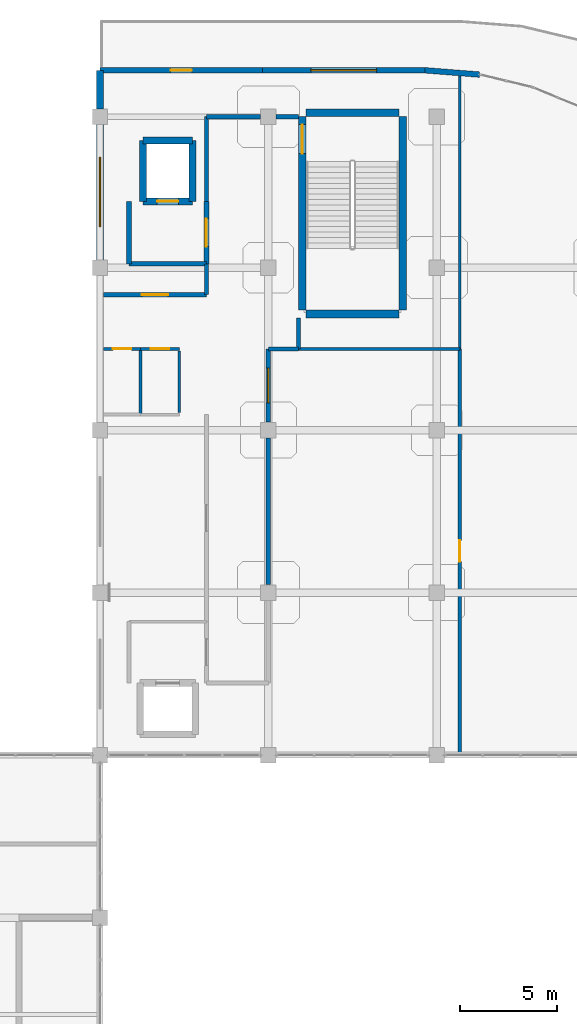
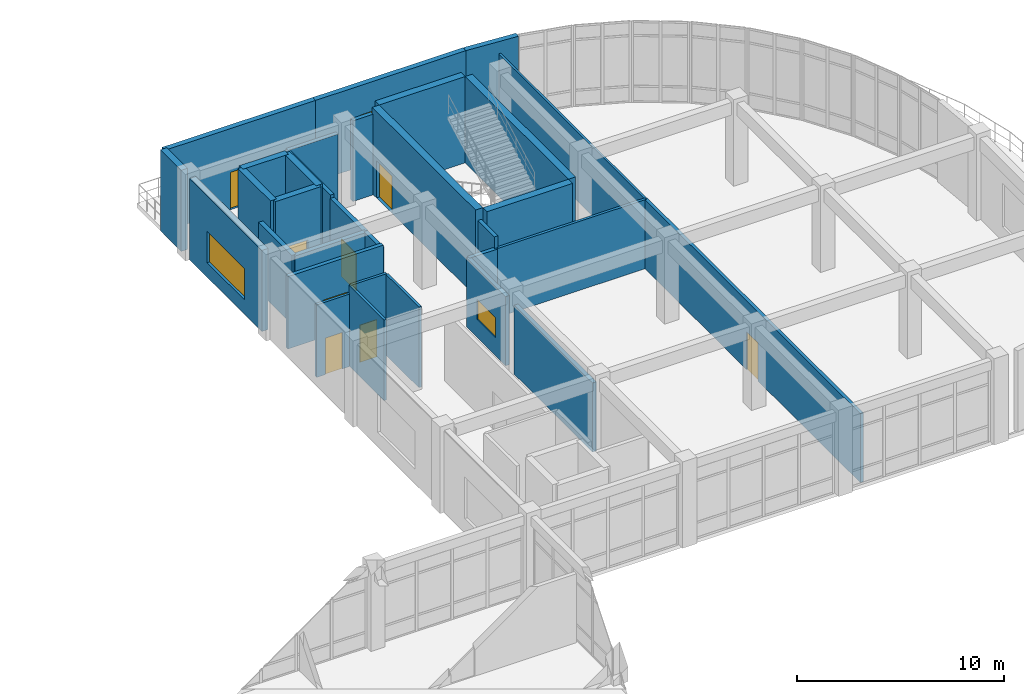
# One storey, part 83 of 96: 32 walls, 8 doors, 3 windows, 11 openings.
"""IFC4 building model written with IfcOpenShell, lengths in metres."""

from ifc_helpers import new_model, si_unit, derived_unit, direction, frame, frame_2d, origin, place, context, subcontext, project, spatial, rectangle, extrude, material, layer, layer_set, type_object, element, fill, save


model = new_model("IFC4")

# Units and contexts
model_context = context("Model", 3, precision=1e-05, world=origin(), true_north=direction((0.0, 1.0)))
body_context = subcontext(model_context, "Body", "Model", "MODEL_VIEW")
ifc_project = project(units=[si_unit("LENGTHUNIT", "METRE"), si_unit("AREAUNIT", "SQUARE_METRE"), si_unit("VOLUMEUNIT", "CUBIC_METRE"), si_unit("PLANEANGLEUNIT", "RADIAN"), si_unit("MASSUNIT", "GRAM", prefix="KILO"), derived_unit("THERMALTRANSMITTANCEUNIT", [(si_unit("MASSUNIT", "GRAM", prefix="KILO"), 1), (si_unit("TIMEUNIT", "SECOND"), -3), (si_unit("THERMODYNAMICTEMPERATUREUNIT", "KELVIN"), -1)])], contexts=[model_context])

# Site, building, storey
site_placement = place(None, origin())
site = spatial("IfcSite", under=ifc_project, at=site_placement, CompositionType="ELEMENT")
building_placement = place(site_placement, origin())
building = spatial("IfcBuilding", under=site, at=building_placement, Name="Qinzheling Arcade Emporium", CompositionType="ELEMENT")
storey_placement = place(building_placement, frame((0.0, 0.0, 21.60009765625)))
storey = spatial("IfcBuildingStorey", under=building, at=storey_placement, Name="L05", CompositionType="ELEMENT", Elevation=21.60009765625)

# Wall
ifc_material_1 = material(Name="Double-stud acoustic gypsum board partition")
ifc_layer_1 = layer(ifc_material_1, 0.215087890625, Name="Double-stud acoustic gypsum board partition")
ifc_layer_set_1 = layer_set([ifc_layer_1], Name="Double-stud acoustic gypsum board partition")
wall_type_1 = type_object("IfcWallType", Name="Acoustic Corridor Partition Wall 215", PredefinedType="PARTITIONING", material=ifc_layer_set_1)
wall_1_placement = place(storey_placement, frame((114.655029296875, 94.800048828125, 0.0), z_axis=(0.0, 0.0, 1.0), x_axis=(-1.0, 0.0, 0.0)))
element("IfcWall", 1, at=wall_1_placement, inside=storey, type_object=wall_type_1, Name="Interior Wall WL-L05-INT-0727", PredefinedType="PARTITIONING", context=body_context, shape_type="SweptSolid", body=[
    extrude(rectangle(XDim=1.554931640625, YDim=0.215087890625, at=frame_2d((0.77734375, 0.0))), origin(), (0.0, 0.0, 1.0), 4.074951171875),
])

# Wall, opening, window
wall_2_placement = place(storey_placement, frame((113.10009765625, 94.800048828125, 0.0), z_axis=(0.0, 0.0, 1.0), x_axis=(0.0, -1.0, 0.0)))
wall_2 = element("IfcWall", 2, at=wall_2_placement, inside=storey, type_object=wall_type_1, Name="Interior Wall WL-L05-INT-0728", PredefinedType="PARTITIONING", context=body_context, shape_type="SweptSolid", body=[
    extrude(rectangle(XDim=3.7900390625, YDim=0.215087890625, at=frame_2d((1.89501953125, 0.0))), origin(), (0.0, 0.0, 1.0), 4.074951171875),
])
opening_1_placement = place(wall_2_placement, frame((0.9951171875, 0.0, 1.050048828125)))
opening_1 = element("IfcOpeningElement", 3, at=opening_1_placement, cuts=wall_2, Name="Opening IW02", PredefinedType="OPENING", context=body_context, shape_type="SweptSolid", body=[
    extrude(rectangle(XDim=1.800048828125, YDim=1.199951171875, at=frame_2d((0.89990234375, 0.60009765625))), frame((0.0, 0.11767578125, 0.0), z_axis=(0.0, -1.0, 0.0), x_axis=(1.0, 0.0, 0.0)), (0.0, 0.0, 1.0), 0.235107421875),
])
ifc_material_2 = material(Name="EI 60 fire-resistant clear safety glazing in steel frame", Category="steel")
window_type_1 = type_object("IfcWindowType", Name="Interior Fire-Glazed Observation Window 1800x1200", PartitioningType="DOUBLE_PANEL_VERTICAL", PredefinedType="USERDEFINED", material=ifc_material_2)
window_1_placement = place(opening_1_placement, origin())
window_1 = element("IfcWindow", 4, at=window_1_placement, inside=storey, type_object=window_type_1, Name="Interior Observation Window IWN-L05-04", ObjectType="BORROWED_LIGHT", OverallHeight=1.199951171875, OverallWidth=1.800048828125, PartitioningType="DOUBLE_PANEL_VERTICAL", PredefinedType="USERDEFINED", context=body_context, shape_type="SweptSolid", body=[
    extrude(rectangle(XDim=1.800048828125, YDim=1.199951171875, at=frame_2d((0.89990234375, 0.60009765625))), frame((0.0, 0.030029296875, 0.0), z_axis=(0.0, -1.0, 0.0), x_axis=(1.0, 0.0, 0.0)), (0.0, 0.0, 1.0), 0.06005859375),
])
fill(opening_1, window_1)

# Wall
wall_3_placement = place(storey_placement, frame((113.10009765625, 90.18994140625, 0.0), z_axis=(0.0, 0.0, 1.0), x_axis=(0.0, -1.0, 0.0)))
element("IfcWall", 5, at=wall_3_placement, inside=storey, type_object=wall_type_1, Name="Interior Wall WL-L05-INT-0729", PredefinedType="PARTITIONING", context=body_context, shape_type="SweptSolid", body=[
    extrude(rectangle(XDim=7.579833984375, YDim=0.215087890625, at=frame_2d((3.7900390625, 0.0))), origin(), (0.0, 0.0, 1.0), 4.074951171875),
])

# Wall, opening, door
wall_4_placement = place(storey_placement, frame((104.580078125, 97.60009765625, 0.0), z_axis=(0.0, 0.0, 1.0), x_axis=(1.0, 0.0, 0.0)))
wall_4 = element("IfcWall", 6, at=wall_4_placement, inside=storey, type_object=wall_type_1, Name="Interior Wall WL-L05-INT-0733", PredefinedType="PARTITIONING", context=body_context, shape_type="SweptSolid", body=[
    extrude(rectangle(XDim=5.31982421875, YDim=0.215087890625, at=frame_2d((2.659912109375, 0.0))), origin(), (0.0, 0.0, 1.0), 4.27490234375),
])
opening_2_placement = place(wall_4_placement, frame((1.985107421875, 0.0, 0.0)))
opening_2 = element("IfcOpeningElement", 7, at=opening_2_placement, cuts=wall_4, Name="Opening FD05", PredefinedType="OPENING", context=body_context, shape_type="SweptSolid", body=[
    extrude(rectangle(XDim=1.35009765625, YDim=2.199951171875, at=frame_2d((0.675048828125, 1.10009765625))), frame((0.0, 0.11767578125, 0.0), z_axis=(0.0, -1.0, 0.0), x_axis=(1.0, 0.0, 0.0)), (0.0, 0.0, 1.0), 0.235107421875),
])
ifc_material_3 = material(Name="Class B fire-rated stainless-clad door")
door_type_1 = type_object("IfcDoorType", Name="Kitchen Fire-Rated Service Door 1350x2200", OperationType="NOTDEFINED", PredefinedType="DOOR", material=ifc_material_3)
door_1_placement = place(opening_2_placement, origin())
door_1 = element("IfcDoor", 8, at=door_1_placement, inside=storey, type_object=door_type_1, Name="FD05 Interior Door DR-L05-INT-0224", OperationType="SINGLE_SWING_LEFT", OverallHeight=2.199951171875, OverallWidth=1.35009765625, PredefinedType="DOOR", context=body_context, shape_type="SweptSolid", body=[
    extrude(rectangle(XDim=1.35009765625, YDim=2.199951171875, at=frame_2d((0.675048828125, 1.10009765625))), frame((0.0, 0.02490234375, 0.0), z_axis=(0.0, -1.0, 0.0), x_axis=(1.0, 0.0, 0.0)), (0.0, 0.0, 1.0), 0.050048828125),
])
fill(opening_2, door_1)

# Walls
wall_5_placement = place(storey_placement, frame((109.89990234375, 97.60009765625, 0.0), z_axis=(0.0, 0.0, 1.0), x_axis=(0.0, 1.0, 0.0)))
element("IfcWall", 9, at=wall_5_placement, inside=storey, type_object=wall_type_1, Name="Interior Wall WL-L05-INT-0734", PredefinedType="PARTITIONING", context=body_context, shape_type="SweptSolid", body=[
    extrude(rectangle(XDim=1.599853515625, YDim=0.215087890625, at=frame_2d((0.7998046875, 0.0))), origin(), (0.0, 0.0, 1.0), 4.074951171875),
])
wall_6_placement = place(storey_placement, frame((109.89990234375, 102.419921875, 0.0), z_axis=(0.0, 0.0, 1.0), x_axis=(0.0, 1.0, 0.0)))
element("IfcWall", 10, at=wall_6_placement, inside=storey, type_object=wall_type_1, Name="Interior Wall WL-L05-INT-0735", PredefinedType="PARTITIONING", context=body_context, shape_type="SweptSolid", body=[
    extrude(rectangle(XDim=4.380126953125, YDim=0.215087890625, at=frame_2d((2.18994140625, 0.0))), origin(), (0.0, 0.0, 1.0), 4.27490234375),
])
wall_7_placement = place(storey_placement, frame((109.89990234375, 106.800048828125, 0.0), z_axis=(0.0, 0.0, 1.0), x_axis=(1.0, 0.0, 0.0)))
element("IfcWall", 11, at=wall_7_placement, inside=storey, type_object=wall_type_1, Name="Interior Wall WL-L05-INT-0736", PredefinedType="PARTITIONING", context=body_context, shape_type="SweptSolid", body=[
    extrude(rectangle(XDim=2.7900390625, YDim=0.215087890625, at=frame_2d((1.39501953125, 0.0))), origin(), (0.0, 0.0, 1.0), 4.27490234375),
])
wall_8_placement = place(storey_placement, frame((113.510009765625, 106.800048828125, 0.0), z_axis=(0.0, 0.0, 1.0), x_axis=(1.0, 0.0, 0.0)))
element("IfcWall", 12, at=wall_8_placement, inside=storey, type_object=wall_type_1, Name="Interior Wall WL-L05-INT-0737", PredefinedType="PARTITIONING", context=body_context, shape_type="SweptSolid", body=[
    extrude(rectangle(XDim=1.139892578125, YDim=0.215087890625, at=frame_2d((0.56982421875, 0.0))), origin(), (0.0, 0.0, 1.0), 4.760009765625),
])
wall_9_placement = place(storey_placement, frame((114.655029296875, 96.39990234375, 0.0), z_axis=(0.0, 0.0, 1.0), x_axis=(0.0, -1.0, 0.0)))
element("IfcWall", 13, at=wall_9_placement, inside=storey, type_object=wall_type_1, Name="Interior Wall WL-L05-INT-0738", PredefinedType="PARTITIONING", context=body_context, shape_type="SweptSolid", body=[
    extrude(rectangle(XDim=1.599853515625, YDim=0.215087890625, at=frame_2d((0.7998046875, 0.0))), origin(), (0.0, 0.0, 1.0), 4.760009765625),
])
ifc_material_4 = material(Name="Lightweight atelier partition")
ifc_layer_2 = layer(ifc_material_4, 0.14990234375, Name="Lightweight atelier partition")
ifc_layer_set_2 = layer_set([ifc_layer_2], Name="Lightweight atelier partition")
wall_type_2 = type_object("IfcWallType", Name="Atelier Partition Wall 150", PredefinedType="PARTITIONING", material=ifc_layer_set_2)
wall_10_placement = place(storey_placement, frame((114.655029296875, 94.800048828125, 0.0), z_axis=(0.0, 0.0, 1.0), x_axis=(1.0, 0.0, 0.0)))
element("IfcWall", 14, at=wall_10_placement, inside=storey, type_object=wall_type_2, Name="Interior Wall WL-L05-INT-0786", PredefinedType="PARTITIONING", context=body_context, shape_type="SweptSolid", body=[
    extrude(rectangle(XDim=8.344970703125, YDim=0.14990234375, at=frame_2d((4.17236328125, 0.0))), origin(), (0.0, 0.0, 1.0), 4.074951171875),
])
ifc_material_5 = material(Name="Galvanised stud back-of-house partition")
ifc_layer_3 = layer(ifc_material_5, 0.1201171875, Name="Galvanised stud back-of-house partition")
ifc_layer_set_3 = layer_set([ifc_layer_3], Name="Galvanised stud back-of-house partition")
wall_type_3 = type_object("IfcWallType", Name="Back-of-House Partition Wall 120", PredefinedType="PARTITIONING", material=ifc_layer_set_3)
wall_11_placement = place(storey_placement, frame((123.0, 94.800048828125, 0.0), z_axis=(0.0, 0.0, 1.0), x_axis=(0.0, 1.0, 0.0)))
element("IfcWall", 15, at=wall_11_placement, inside=storey, type_object=wall_type_3, Name="Interior Wall WL-L05-INT-0787", PredefinedType="PARTITIONING", context=body_context, shape_type="SweptSolid", body=[
    extrude(rectangle(XDim=14.10791015625, YDim=0.1201171875, at=frame_2d((7.053955078125, 0.0))), origin(), (0.0, 0.0, 1.0), 4.074951171875),
])

# Wall, opening, door
ifc_material_6 = material(Name="Fire-rated double-stud gypsum and mineral wool wall")
ifc_layer_4 = layer(ifc_material_6, 0.2451171875, Name="Fire-rated double-stud gypsum and mineral wool wall")
ifc_layer_set_4 = layer_set([ifc_layer_4], Name="Fire-rated double-stud gypsum and mineral wool wall")
wall_type_4 = type_object("IfcWallType", Name="Firefighting Lobby Rated Wall 245", PredefinedType="STANDARD", material=ifc_layer_set_4)
wall_12_placement = place(storey_placement, frame((109.89990234375, 102.419921875, 0.0), z_axis=(0.0, 0.0, 1.0), x_axis=(0.0, -1.0, 0.0)))
wall_12 = element("IfcWall", 16, at=wall_12_placement, inside=storey, type_object=wall_type_4, Name="Interior Wall WL-L05-INT-0697", PredefinedType="STANDARD", context=body_context, shape_type="SweptSolid", body=[
    extrude(rectangle(XDim=3.219970703125, YDim=0.2451171875, at=frame_2d((1.60986328125, 0.0))), origin(), (0.0, 0.0, 1.0), 4.074951171875),
])
opening_3_placement = place(wall_12_placement, frame((0.885009765625, 0.0, 0.0)))
opening_3 = element("IfcOpeningElement", 17, at=opening_3_placement, cuts=wall_12, Name="Opening FD02", PredefinedType="OPENING", context=body_context, shape_type="SweptSolid", body=[
    extrude(rectangle(XDim=1.449951171875, YDim=2.199951171875, at=frame_2d((0.72509765625, 1.10009765625))), frame((0.0, 0.132568359375, 0.0), z_axis=(0.0, -1.0, 0.0), x_axis=(1.0, 0.0, 0.0)), (0.0, 0.0, 1.0), 0.26513671875),
])
ifc_material_7 = material(Name="Class A fire-rated steel double door", Category="steel")
door_type_2 = type_object("IfcDoorType", Name="Firefighting Lobby Fire Door 1450x2200", OperationType="DOUBLE_DOOR_SINGLE_SWING", PredefinedType="DOOR", material=ifc_material_7)
door_2_placement = place(opening_3_placement, origin())
door_2 = element("IfcDoor", 18, at=door_2_placement, inside=storey, type_object=door_type_2, Name="FD02 Interior Door DR-L05-INT-0196", OperationType="DOUBLE_DOOR_SINGLE_SWING", OverallHeight=2.199951171875, OverallWidth=1.449951171875, PredefinedType="DOOR", context=body_context, shape_type="SweptSolid", body=[
    extrude(rectangle(XDim=1.449951171875, YDim=2.199951171875, at=frame_2d((0.72509765625, 1.10009765625))), frame((0.0, 0.02490234375, 0.0), z_axis=(0.0, -1.0, 0.0), x_axis=(1.0, 0.0, 0.0)), (0.0, 0.0, 1.0), 0.050048828125),
])
fill(opening_3, door_2)

# Walls
wall_13_placement = place(storey_placement, frame((109.89990234375, 99.199951171875, 0.0), z_axis=(0.0, 0.0, 1.0), x_axis=(-1.0, 0.0, 0.0)))
element("IfcWall", 19, at=wall_13_placement, inside=storey, type_object=wall_type_4, Name="Interior Wall WL-L05-INT-0698", PredefinedType="STANDARD", context=body_context, shape_type="SweptSolid", body=[
    extrude(rectangle(XDim=4.0, YDim=0.2451171875, at=frame_2d((2.0, 0.0))), origin(), (0.0, 0.0, 1.0), 4.074951171875),
])
wall_14_placement = place(storey_placement, frame((105.89990234375, 99.199951171875, 0.0), z_axis=(0.0, 0.0, 1.0), x_axis=(0.0, 1.0, 0.0)))
element("IfcWall", 20, at=wall_14_placement, inside=storey, type_object=wall_type_4, Name="Interior Wall WL-L05-INT-0699", PredefinedType="STANDARD", context=body_context, shape_type="SweptSolid", body=[
    extrude(rectangle(XDim=3.219970703125, YDim=0.2451171875, at=frame_2d((1.60986328125, 0.0))), origin(), (0.0, 0.0, 1.0), 4.074951171875),
])

# Wall, opening, window
ifc_material_8 = material(Name="Fluted granite ashlar on Concrete C40", Category="masonry")
ifc_layer_5 = layer(ifc_material_8, 0.35009765625, Name="Fluted granite ashlar on Concrete C40", Category="masonry")
ifc_layer_set_5 = layer_set([ifc_layer_5], Name="Fluted granite ashlar on Concrete C40")
wall_type_5 = type_object("IfcWallType", Name="Fluted Granite Logistics Wall 350", PredefinedType="STANDARD", material=ifc_layer_set_5)
wall_15_placement = place(storey_placement, frame((104.39990234375, 99.402099609375, 0.0), z_axis=(0.0, 0.0, 1.0), x_axis=(0.0, 1.0, 0.0)))
wall_15 = element("IfcWall", 21, at=wall_15_placement, inside=storey, type_object=wall_type_5, Name="Exterior Wall WL-L05-EW-0287", PredefinedType="STANDARD", context=body_context, shape_type="SweptSolid", body=[
    extrude(rectangle(XDim=6.995849609375, YDim=0.35009765625, at=frame_2d((3.498046875, 0.0))), origin(), (0.0, 0.0, 1.0), 4.789794921875),
])
opening_4_placement = place(wall_15_placement, frame((1.697998046875, 0.0, 0.85009765625)))
opening_4 = element("IfcOpeningElement", 22, at=opening_4_placement, cuts=wall_15, Name="Opening WN28", PredefinedType="OPENING", context=body_context, shape_type="SweptSolid", body=[
    extrude(rectangle(XDim=3.60009765625, YDim=1.85009765625, at=frame_2d((1.800048828125, 0.925048828125))), frame((0.0, 0.18505859375, 0.0), z_axis=(0.0, -1.0, 0.0), x_axis=(1.0, 0.0, 0.0)), (0.0, 0.0, 1.0), 0.3701171875),
])
ifc_material_9 = material(Name="Thermally broken aluminium frame with solar-control double glazing", Category="aluminium")
window_type_2 = type_object("IfcWindowType", Name="Chicago Tripartite Window 3600x1850", PartitioningType="TRIPLE_PANEL_VERTICAL", PredefinedType="WINDOW", material=ifc_material_9)
window_2_placement = place(opening_4_placement, origin())
window_2 = element("IfcWindow", 23, at=window_2_placement, inside=storey, type_object=window_type_2, Name="WN28 Window WN-L05-0073", OverallHeight=1.85009765625, OverallWidth=3.60009765625, PartitioningType="TRIPLE_PANEL_VERTICAL", PredefinedType="WINDOW", context=body_context, shape_type="SweptSolid", body=[
    extrude(rectangle(XDim=3.60009765625, YDim=1.85009765625, at=frame_2d((1.800048828125, 0.925048828125))), frame((0.0, 0.030029296875, 0.0), z_axis=(0.0, -1.0, 0.0), x_axis=(1.0, 0.0, 0.0)), (0.0, 0.0, 1.0), 0.06005859375),
])
fill(opening_4, window_2)

# Wall
wall_16_placement = place(storey_placement, frame((104.39990234375, 107.201904296875, 0.0), z_axis=(0.0, 0.0, 1.0), x_axis=(0.0, 1.0, 0.0)))
element("IfcWall", 24, at=wall_16_placement, inside=storey, type_object=wall_type_5, Name="Exterior Wall WL-L05-EW-0288", PredefinedType="STANDARD", context=body_context, shape_type="SweptSolid", body=[
    extrude(rectangle(XDim=1.998046875, YDim=0.35009765625, at=frame_2d((0.9990234375, 0.0))), origin(), (0.0, 0.0, 1.0), 4.789794921875),
])

# Wall, opening, door
ifc_material_10 = material(Name="Buff glazed terracotta insulated wall", Category="masonry")
ifc_layer_6 = layer(ifc_material_10, 0.2900390625, Name="Buff glazed terracotta insulated wall", Category="masonry")
ifc_layer_set_6 = layer_set([ifc_layer_6], Name="Buff glazed terracotta insulated wall")
wall_type_6 = type_object("IfcWallType", Name="Office Bar Terracotta Wall 290", PredefinedType="STANDARD", material=ifc_layer_set_6)
wall_17_placement = place(storey_placement, frame((104.39990234375, 109.199951171875, 0.0), z_axis=(0.0, 0.0, 1.0), x_axis=(1.0, 0.0, 0.0)))
wall_17 = element("IfcWall", 25, at=wall_17_placement, inside=storey, type_object=wall_type_6, Name="Exterior Wall WL-L05-EW-0289", PredefinedType="STANDARD", context=body_context, shape_type="SweptSolid", body=[
    extrude(rectangle(XDim=8.398193359375, YDim=0.2900390625, at=frame_2d((4.19921875, 0.0))), origin(), (0.0, 0.0, 1.0), 4.789794921875),
])
opening_5_placement = place(wall_17_placement, frame((3.64892578125, 0.0, 0.0)))
opening_5 = element("IfcOpeningElement", 26, at=opening_5_placement, cuts=wall_17, Name="Opening TD04", PredefinedType="OPENING", context=body_context, shape_type="SweptSolid", body=[
    extrude(rectangle(XDim=1.10009765625, YDim=2.199951171875, at=frame_2d((0.550048828125, 1.10009765625))), frame((0.0, 0.155029296875, 0.0), z_axis=(0.0, -1.0, 0.0), x_axis=(1.0, 0.0, 0.0)), (0.0, 0.0, 1.0), 0.31005859375),
])
ifc_material_11 = material(Name="Thermally broken aluminium and double glass", Category="aluminium")
door_type_3 = type_object("IfcDoorType", Name="Buying Office Terrace Single Door 1100x2200", OperationType="NOTDEFINED", PredefinedType="DOOR", material=ifc_material_11)
door_3_placement = place(opening_5_placement, origin())
door_3 = element("IfcDoor", 27, at=door_3_placement, inside=storey, type_object=door_type_3, Name="TD04 Exterior Door DR-L05-EXT-038", OperationType="SINGLE_SWING_LEFT", OverallHeight=2.199951171875, OverallWidth=1.10009765625, PredefinedType="DOOR", context=body_context, shape_type="SweptSolid", body=[
    extrude(rectangle(XDim=1.10009765625, YDim=2.199951171875, at=frame_2d((0.550048828125, 1.10009765625))), frame((0.0, 0.02490234375, 0.0), z_axis=(0.0, -1.0, 0.0), x_axis=(1.0, 0.0, 0.0)), (0.0, 0.0, 1.0), 0.050048828125),
])
fill(opening_5, door_3)

# Wall, opening, window
wall_18_placement = place(storey_placement, frame((112.802001953125, 109.199951171875, 0.0), z_axis=(0.0, 0.0, 1.0), x_axis=(1.0, 0.0, 0.0)))
wall_18 = element("IfcWall", 28, at=wall_18_placement, inside=storey, type_object=wall_type_6, Name="Exterior Wall WL-L05-EW-0290", PredefinedType="STANDARD", context=body_context, shape_type="SweptSolid", body=[
    extrude(rectangle(XDim=8.39794921875, YDim=0.2900390625, at=frame_2d((4.198974609375, 0.0))), origin(), (0.0, 0.0, 1.0), 4.789794921875),
])
opening_6_placement = place(wall_18_placement, frame((2.4990234375, 0.0, 0.85009765625)))
opening_6 = element("IfcOpeningElement", 29, at=opening_6_placement, cuts=wall_18, Name="Opening WN31", PredefinedType="OPENING", context=body_context, shape_type="SweptSolid", body=[
    extrude(rectangle(XDim=3.39990234375, YDim=2.199951171875, at=frame_2d((1.699951171875, 1.10009765625))), frame((0.0, 0.155029296875, 0.0), z_axis=(0.0, -1.0, 0.0), x_axis=(1.0, 0.0, 0.0)), (0.0, 0.0, 1.0), 0.31005859375),
])
window_type_3 = type_object("IfcWindowType", Name="Chicago Tripartite Window 3400x2200", PartitioningType="TRIPLE_PANEL_VERTICAL", PredefinedType="WINDOW", material=ifc_material_9)
window_3_placement = place(opening_6_placement, origin())
window_3 = element("IfcWindow", 30, at=window_3_placement, inside=storey, type_object=window_type_3, Name="WN31 Window WN-L05-0074", OverallHeight=2.199951171875, OverallWidth=3.39990234375, PartitioningType="TRIPLE_PANEL_VERTICAL", PredefinedType="WINDOW", context=body_context, shape_type="SweptSolid", body=[
    extrude(rectangle(XDim=3.39990234375, YDim=2.199951171875, at=frame_2d((1.699951171875, 1.10009765625))), frame((0.0, 0.030029296875, 0.0), z_axis=(0.0, -1.0, 0.0), x_axis=(1.0, 0.0, 0.0)), (0.0, 0.0, 1.0), 0.06005859375),
])
fill(opening_6, window_3)

# Walls
wall_19_placement = place(storey_placement, frame((121.199951171875, 109.199951171875, 0.0), z_axis=(0.0, 0.0, 1.0), x_axis=(0.996909380243, -0.078560089002, 0.0)))
element("IfcWall", 31, at=wall_19_placement, inside=storey, type_object=wall_type_6, Name="Exterior Wall WL-L05-EW-0291", PredefinedType="STANDARD", context=body_context, shape_type="SweptSolid", body=[
    extrude(rectangle(XDim=2.824951171875, YDim=0.2900390625, at=frame_2d((1.41259765625, 0.0))), origin(), (0.0, 0.0, 1.0), 4.789794921875),
])
ifc_material_12 = material(Name="Concrete C40", Category="concrete")
ifc_layer_7 = layer(ifc_material_12, 0.35009765625, Name="Concrete C40", Category="concrete")
ifc_layer_set_7 = layer_set([ifc_layer_7], Name="Concrete C40")
wall_type_7 = type_object("IfcWallType", Name="RC Lift Shaft Shear Wall 350 C40", PredefinedType="SHEAR", material=ifc_layer_set_7)
wall_20_placement = place(storey_placement, frame((106.625, 105.574951171875, 0.0), z_axis=(0.0, 0.0, 1.0), x_axis=(1.0, 0.0, 0.0)))
element("IfcWall", 32, at=wall_20_placement, inside=storey, type_object=wall_type_7, Name="Lift Shaft Wall WL-L05-LFT-LF03-N", PredefinedType="SHEAR", context=body_context, shape_type="SweptSolid", body=[
    extrude(rectangle(XDim=2.550048828125, YDim=0.35009765625, at=frame_2d((1.27490234375, 0.0))), origin(), (0.0, 0.0, 1.0), 5.099853515625),
])

# Wall, opening, door
wall_21_placement = place(storey_placement, frame((109.175048828125, 102.425048828125, 0.0), z_axis=(0.0, 0.0, 1.0), x_axis=(-1.0, 0.0, 0.0)))
wall_21 = element("IfcWall", 33, at=wall_21_placement, inside=storey, type_object=wall_type_7, Name="Lift Shaft Wall WL-L05-LFT-LF03-S", PredefinedType="SHEAR", context=body_context, shape_type="SweptSolid", body=[
    extrude(rectangle(XDim=2.550048828125, YDim=0.35009765625, at=frame_2d((1.27490234375, 0.0))), origin(), (0.0, 0.0, 1.0), 5.099853515625),
])
opening_7_placement = place(wall_21_placement, frame((0.72509765625, 0.0, 0.0)))
opening_7 = element("IfcOpeningElement", 34, at=opening_7_placement, cuts=wall_21, Name="Opening LD01", PredefinedType="OPENING", context=body_context, shape_type="SweptSolid", body=[
    extrude(rectangle(XDim=1.10009765625, YDim=2.199951171875, at=frame_2d((0.550048828125, 1.10009765625))), frame((0.0, 0.18505859375, 0.0), z_axis=(0.0, -1.0, 0.0), x_axis=(1.0, 0.0, 0.0)), (0.0, 0.0, 1.0), 0.3701171875),
])
ifc_material_13 = material(Name="Fire-rated stainless steel sliding lift door", Category="steel")
door_type_4 = type_object("IfcDoorType", Name="Firefighting Lift Sliding Landing Door 1100x2200", OperationType="DOUBLE_DOOR_SLIDING", PredefinedType="DOOR", material=ifc_material_13)
door_4_placement = place(opening_7_placement, origin())
door_4 = element("IfcDoor", 35, at=door_4_placement, inside=storey, type_object=door_type_4, Name="LD01 Lift Landing Door LF03 L05", OperationType="DOUBLE_DOOR_SLIDING", OverallHeight=2.199951171875, OverallWidth=1.10009765625, PredefinedType="DOOR", context=body_context, shape_type="SweptSolid", body=[
    extrude(rectangle(XDim=1.10009765625, YDim=2.199951171875, at=frame_2d((0.550048828125, 1.10009765625))), frame((0.0, 0.02490234375, 0.0), z_axis=(0.0, -1.0, 0.0), x_axis=(1.0, 0.0, 0.0)), (0.0, 0.0, 1.0), 0.050048828125),
])
fill(opening_7, door_4)

# Walls
for number, where, z_axis, x_axis, name in (
    (36, (106.625, 102.425048828125, 0.0), (0.0, 0.0, 1.0), (0.0, 1.0, 0.0), "Lift Shaft Wall WL-L05-LFT-LF03-W"),
    (37, (109.175048828125, 105.574951171875, 0.0), (0.0, 0.0, 1.0), (0.0, -1.0, 0.0), "Lift Shaft Wall WL-L05-LFT-LF03-E"),
):
    element("IfcWall", number, at=place(storey_placement, frame(where, z_axis=z_axis, x_axis=x_axis)), inside=storey, type_object=wall_type_7, Name=name, PredefinedType="SHEAR", context=body_context, shape_type="SweptSolid", body=[
        extrude(rectangle(XDim=3.14990234375, YDim=0.35009765625, at=frame_2d((1.574951171875, 0.0))), origin(), (0.0, 0.0, 1.0), 5.099853515625),
    ])

# Wall, opening, door
ifc_material_14 = material(Name="Concrete C50", Category="concrete")
ifc_layer_8 = layer(ifc_material_14, 0.39990234375, Name="Concrete C50", Category="concrete")
ifc_layer_set_8 = layer_set([ifc_layer_8], Name="Concrete C50")
wall_type_8 = type_object("IfcWallType", Name="RC Stair Core Shear Wall 400 C50", PredefinedType="SHEAR", material=ifc_layer_set_8)
wall_22_placement = place(storey_placement, frame((114.85498046875, 96.800048828125, 0.0), z_axis=(0.0, 0.0, 1.0), x_axis=(0.0, 1.0, 0.0)))
wall_22 = element("IfcWall", 38, at=wall_22_placement, inside=storey, type_object=wall_type_8, Name="Stair Core Wall WL-L05-ST08-WEST", PredefinedType="SHEAR", context=body_context, shape_type="SweptSolid", body=[
    extrude(rectangle(XDim=10.0, YDim=0.39990234375, at=frame_2d((5.0, 0.0))), origin(), (0.0, 0.0, 1.0), 5.099853515625),
])
opening_8_placement = place(wall_22_placement, frame((8.090087890625, 0.0, 0.0)))
opening_8 = element("IfcOpeningElement", 39, at=opening_8_placement, cuts=wall_22, Name="Opening FD01", PredefinedType="OPENING", context=body_context, shape_type="SweptSolid", body=[
    extrude(rectangle(XDim=1.5, YDim=2.199951171875, at=frame_2d((0.75, 1.10009765625))), frame((0.0, 0.2099609375, 0.0), z_axis=(0.0, -1.0, 0.0), x_axis=(1.0, 0.0, 0.0)), (0.0, 0.0, 1.0), 0.419921875),
])
door_type_5 = type_object("IfcDoorType", Name="Stairwell Smoke-Proof Fire Door 1500x2200", OperationType="DOUBLE_DOOR_SINGLE_SWING", PredefinedType="DOOR", material=ifc_material_7)
door_5_placement = place(opening_8_placement, origin())
door_5 = element("IfcDoor", 40, at=door_5_placement, inside=storey, type_object=door_type_5, Name="FD01 Stairwell Fire Door DR-L05-ST08-FD", OperationType="DOUBLE_DOOR_SINGLE_SWING", OverallHeight=2.199951171875, OverallWidth=1.5, PredefinedType="DOOR", context=body_context, shape_type="SweptSolid", body=[
    extrude(rectangle(XDim=1.5, YDim=2.199951171875, at=frame_2d((0.75, 1.10009765625))), frame((0.0, 0.02490234375, 0.0), z_axis=(0.0, -1.0, 0.0), x_axis=(1.0, 0.0, 0.0)), (0.0, 0.0, 1.0), 0.050048828125),
])
fill(opening_8, door_5)

# Walls
wall_23_placement = place(storey_placement, frame((120.044921875, 106.800048828125, 0.0), z_axis=(0.0, 0.0, 1.0), x_axis=(0.0, -1.0, 0.0)))
element("IfcWall", 41, at=wall_23_placement, inside=storey, type_object=wall_type_8, Name="Stair Core Wall WL-L05-ST08-EAST", PredefinedType="SHEAR", context=body_context, shape_type="SweptSolid", body=[
    extrude(rectangle(XDim=10.0, YDim=0.39990234375, at=frame_2d((5.0, 0.0))), origin(), (0.0, 0.0, 1.0), 5.099853515625),
])
for number, where, z_axis, x_axis, name in (
    (42, (119.844970703125, 96.60009765625, 0.0), (0.0, 0.0, 1.0), (-1.0, 0.0, 0.0), "Stair Core Wall WL-L05-ST08-SOUTH"),
    (43, (115.054931640625, 107.0, 0.0), (0.0, 0.0, 1.0), (1.0, 0.0, 0.0), "Stair Core Wall WL-L05-ST08-NORTH"),
):
    element("IfcWall", number, at=place(storey_placement, frame(where, z_axis=z_axis, x_axis=x_axis)), inside=storey, type_object=wall_type_8, Name=name, PredefinedType="SHEAR", context=body_context, shape_type="SweptSolid", body=[
        extrude(rectangle(XDim=4.7900390625, YDim=0.39990234375, at=frame_2d((2.39501953125, 0.0))), origin(), (0.0, 0.0, 1.0), 5.099853515625),
    ])

# Wall, opening, door
ifc_material_15 = material(Name="Double-board salon partition")
ifc_layer_9 = layer(ifc_material_15, 0.175048828125, Name="Double-board salon partition")
ifc_layer_set_9 = layer_set([ifc_layer_9], Name="Double-board salon partition")
wall_type_9 = type_object("IfcWallType", Name="Salon Acoustic Partition Wall 175", PredefinedType="PARTITIONING", material=ifc_layer_set_9)
wall_24_placement = place(storey_placement, frame((123.0, 94.800048828125, 0.0), z_axis=(0.0, 0.0, 1.0), x_axis=(0.0, -1.0, 0.0)))
wall_24 = element("IfcWall", 44, at=wall_24_placement, inside=storey, type_object=wall_type_9, Name="Interior Wall WL-L05-INT-0785", PredefinedType="PARTITIONING", context=body_context, shape_type="SweptSolid", body=[
    extrude(rectangle(XDim=20.900146484375, YDim=0.175048828125, at=frame_2d((10.4501953125, 0.0))), origin(), (0.0, 0.0, 1.0), 4.074951171875),
])
opening_9_placement = place(wall_24_placement, frame((9.89990234375, 0.0, 0.0)))
opening_9 = element("IfcOpeningElement", 45, at=opening_9_placement, cuts=wall_24, Name="Opening D06", PredefinedType="OPENING", context=body_context, shape_type="SweptSolid", body=[
    extrude(rectangle(XDim=1.10009765625, YDim=2.25, at=frame_2d((0.550048828125, 1.125))), frame((0.0, 0.09765625, 0.0), z_axis=(0.0, -1.0, 0.0), x_axis=(1.0, 0.0, 0.0)), (0.0, 0.0, 1.0), 0.195068359375),
])
ifc_material_16 = material(Name="Solid oak acoustic veneer door")
door_type_6 = type_object("IfcDoorType", Name="VIP Lounge Single Door 1100x2250", OperationType="NOTDEFINED", PredefinedType="DOOR", material=ifc_material_16)
door_6_placement = place(opening_9_placement, origin())
door_6 = element("IfcDoor", 46, at=door_6_placement, inside=storey, type_object=door_type_6, Name="D06 Interior Door DR-L05-INT-0223", OperationType="SINGLE_SWING_RIGHT", OverallHeight=2.25, OverallWidth=1.10009765625, PredefinedType="DOOR", context=body_context, shape_type="SweptSolid", body=[
    extrude(rectangle(XDim=1.10009765625, YDim=2.25, at=frame_2d((0.550048828125, 1.125))), frame((0.0, 0.02490234375, 0.0), z_axis=(0.0, -1.0, 0.0), x_axis=(1.0, 0.0, 0.0)), (0.0, 0.0, 1.0), 0.050048828125),
])
fill(opening_9, door_6)

# Wall
ifc_material_17 = material(Name="Moisture-resistant cement-board WC partition")
ifc_layer_10 = layer(ifc_material_17, 0.14501953125, Name="Moisture-resistant cement-board WC partition")
ifc_layer_set_10 = layer_set([ifc_layer_10], Name="Moisture-resistant cement-board WC partition")
wall_type_10 = type_object("IfcWallType", Name="Washroom Moisture Partition Wall 145", PredefinedType="PARTITIONING", material=ifc_layer_set_10)
wall_25_placement = place(storey_placement, frame((106.5, 94.800048828125, 0.0), z_axis=(0.0, 0.0, 1.0), x_axis=(0.0, -1.0, 0.0)))
element("IfcWall", 47, at=wall_25_placement, inside=storey, type_object=wall_type_10, Name="Interior Wall WL-L05-INT-0719", PredefinedType="PARTITIONING", context=body_context, shape_type="SweptSolid", body=[
    extrude(rectangle(XDim=3.400146484375, YDim=0.14501953125, at=frame_2d((1.7001953125, 0.0))), origin(), (0.0, 0.0, 1.0), 4.760009765625),
])

# Wall, opening, door
wall_26_placement = place(storey_placement, frame((104.580078125, 94.800048828125, 0.0), z_axis=(0.0, 0.0, 1.0), x_axis=(1.0, 0.0, 0.0)))
wall_26 = element("IfcWall", 48, at=wall_26_placement, inside=storey, type_object=wall_type_10, Name="Interior Wall WL-L05-INT-0720", PredefinedType="PARTITIONING", context=body_context, shape_type="SweptSolid", body=[
    extrude(rectangle(XDim=1.919921875, YDim=0.14501953125, at=frame_2d((0.9599609375, 0.0))), origin(), (0.0, 0.0, 1.0), 4.27490234375),
])
opening_10_placement = place(wall_26_placement, frame((0.485107421875, 0.0, 0.0)))
opening_10 = element("IfcOpeningElement", 49, at=opening_10_placement, cuts=wall_26, Name="Opening D12", PredefinedType="OPENING", context=body_context, shape_type="SweptSolid", body=[
    extrude(rectangle(XDim=0.949951171875, YDim=2.14990234375, at=frame_2d((0.47509765625, 1.074951171875))), frame((0.0, 0.08251953125, 0.0), z_axis=(0.0, -1.0, 0.0), x_axis=(1.0, 0.0, 0.0)), (0.0, 0.0, 1.0), 0.1650390625),
])
ifc_material_18 = material(Name="Antimicrobial high-pressure laminate door")
door_type_7 = type_object("IfcDoorType", Name="Public Male Washroom Door 950x2150", OperationType="NOTDEFINED", PredefinedType="DOOR", material=ifc_material_18)
door_7_placement = place(opening_10_placement, origin())
door_7 = element("IfcDoor", 50, at=door_7_placement, inside=storey, type_object=door_type_7, Name="D12 Interior Door DR-L05-INT-0204", OperationType="SINGLE_SWING_LEFT", OverallHeight=2.14990234375, OverallWidth=0.949951171875, PredefinedType="DOOR", context=body_context, shape_type="SweptSolid", body=[
    extrude(rectangle(XDim=0.949951171875, YDim=2.14990234375, at=frame_2d((0.47509765625, 1.074951171875))), frame((0.0, 0.02490234375, 0.0), z_axis=(0.0, -1.0, 0.0), x_axis=(1.0, 0.0, 0.0)), (0.0, 0.0, 1.0), 0.050048828125),
])
fill(opening_10, door_7)

wall_27_placement = place(storey_placement, frame((106.5, 94.800048828125, 0.0), z_axis=(0.0, 0.0, 1.0), x_axis=(1.0, 0.0, 0.0)))
wall_27 = element("IfcWall", 51, at=wall_27_placement, inside=storey, type_object=wall_type_10, Name="Interior Wall WL-L05-INT-0722", PredefinedType="PARTITIONING", context=body_context, shape_type="SweptSolid", body=[
    extrude(rectangle(XDim=2.0, YDim=0.14501953125, at=frame_2d((1.0, 0.0))), origin(), (0.0, 0.0, 1.0), 4.760009765625),
])
opening_11_placement = place(wall_27_placement, frame((0.52490234375, 0.0, 0.0)))
opening_11 = element("IfcOpeningElement", 52, at=opening_11_placement, cuts=wall_27, Name="Opening D13", PredefinedType="OPENING", context=body_context, shape_type="SweptSolid", body=[
    extrude(rectangle(XDim=0.949951171875, YDim=2.199951171875, at=frame_2d((0.47509765625, 1.10009765625))), frame((0.0, 0.08251953125, 0.0), z_axis=(0.0, -1.0, 0.0), x_axis=(1.0, 0.0, 0.0)), (0.0, 0.0, 1.0), 0.1650390625),
])
door_type_8 = type_object("IfcDoorType", Name="Public Female Washroom Door 950x2200", OperationType="NOTDEFINED", PredefinedType="DOOR", material=ifc_material_18)
door_8_placement = place(opening_11_placement, origin())
door_8 = element("IfcDoor", 53, at=door_8_placement, inside=storey, type_object=door_type_8, Name="D13 Interior Door DR-L05-INT-0205", OperationType="SINGLE_SWING_RIGHT", OverallHeight=2.199951171875, OverallWidth=0.949951171875, PredefinedType="DOOR", context=body_context, shape_type="SweptSolid", body=[
    extrude(rectangle(XDim=0.949951171875, YDim=2.199951171875, at=frame_2d((0.47509765625, 1.10009765625))), frame((0.0, 0.02490234375, 0.0), z_axis=(0.0, -1.0, 0.0), x_axis=(1.0, 0.0, 0.0)), (0.0, 0.0, 1.0), 0.050048828125),
])
fill(opening_11, door_8)

# Wall
wall_28_placement = place(storey_placement, frame((108.5, 94.697021484375, 0.0), z_axis=(0.0, 0.0, 1.0), x_axis=(0.0, -1.0, 0.0)))
element("IfcWall", 54, at=wall_28_placement, inside=storey, type_object=wall_type_10, Name="Interior Wall WL-L05-INT-0788", PredefinedType="PARTITIONING", context=body_context, shape_type="SweptSolid", body=[
    extrude(rectangle(XDim=3.194091796875, YDim=0.14501953125, at=frame_2d((1.59716796875, 0.0))), origin(), (0.0, 0.0, 1.0), 4.760009765625),
])

save(model, "model.ifc")
